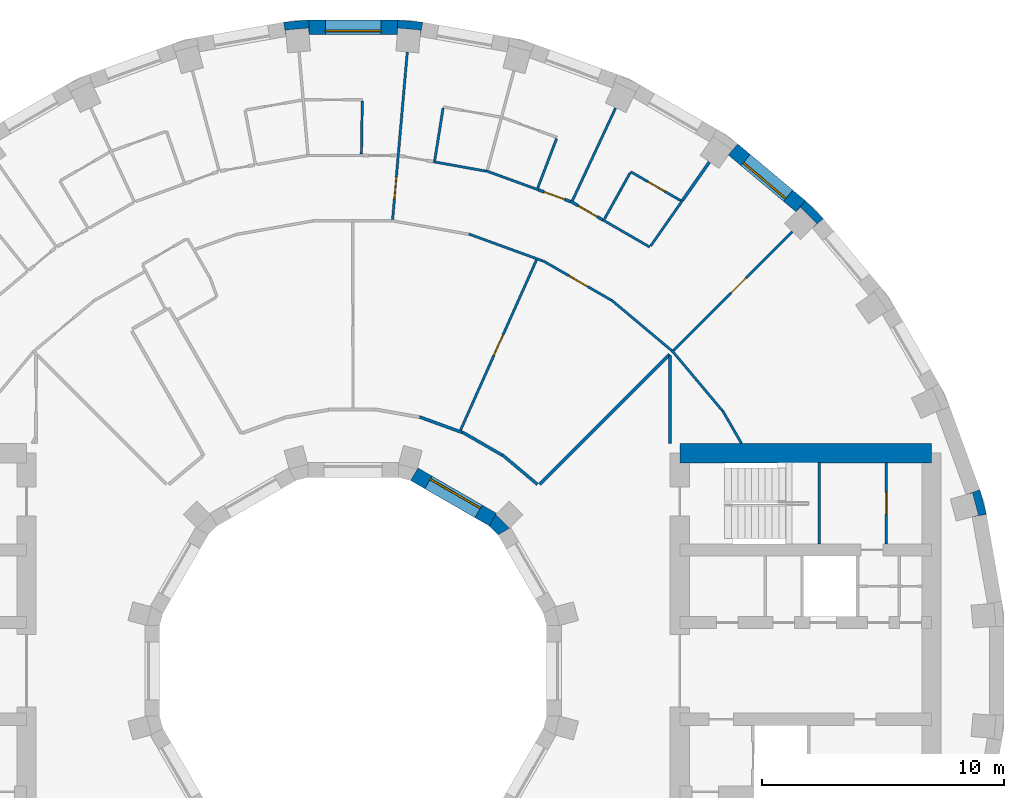
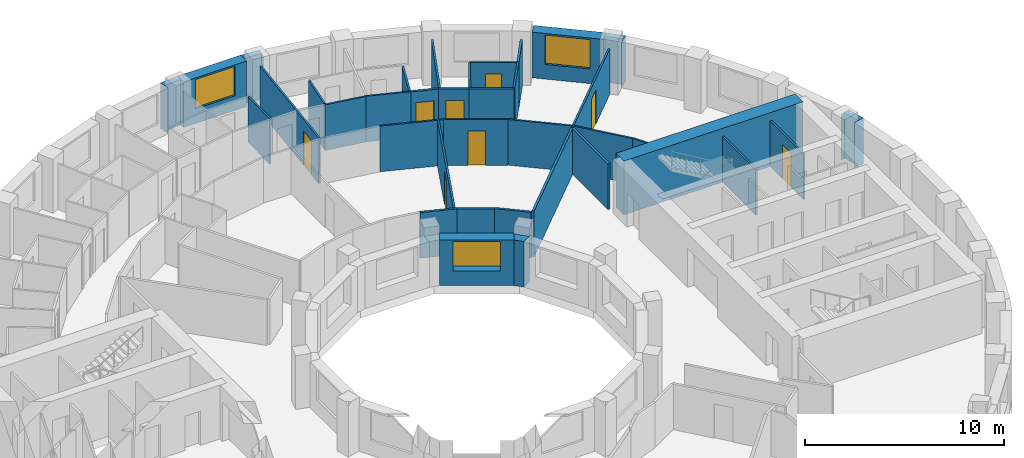
# One storey, part 10 of 13: 37 walls, 8 doors, 3 windows, 11 openings.
"""IFC4 building model written with IfcOpenShell, lengths in metres."""

from ifc_helpers import new_model, si_unit, direction, frame, frame_2d, origin, place, context, subcontext, project, spatial, polyline, rectangle, outline, extrude, material, layer, layer_set, type_object, element, fill, save


model = new_model("IFC4")

# Units and contexts
model_context = context("Model", 3, precision=1e-05, world=origin(), true_north=direction((0.0, 1.0)))
body_context = subcontext(model_context, "Body", "Model", "MODEL_VIEW")
ifc_project = project(units=[si_unit("LENGTHUNIT", "METRE"), si_unit("AREAUNIT", "SQUARE_METRE"), si_unit("VOLUMEUNIT", "CUBIC_METRE"), si_unit("PLANEANGLEUNIT", "RADIAN"), si_unit("MASSUNIT", "GRAM", prefix="KILO")], contexts=[model_context])

# Site, building, storey
site_placement = place(None, origin())
site = spatial("IfcSite", under=ifc_project, at=site_placement, CompositionType="ELEMENT")
building_placement = place(site_placement, origin())
building = spatial("IfcBuilding", under=site, at=building_placement, Name="Saqina Gate Tower", CompositionType="ELEMENT")
storey_placement = place(building_placement, frame((0.0, 0.0, 118.300048828125)))
storey = spatial("IfcBuildingStorey", under=building, at=storey_placement, Name="L33", CompositionType="ELEMENT", Elevation=118.300048828125)

# Walls
ifc_material_1 = material(Name="Brick masonry (buff)", Category="masonry")
wall_type_1 = type_object("IfcWallType", Name="BRICK PIER COPING BUFF", PredefinedType="SOLIDWALL", material=ifc_material_1)
wall_1_placement = place(storey_placement, origin())
element("IfcWall", 1, at=wall_1_placement, inside=storey, type_object=wall_type_1, Name="Pier cap L33 column 2", PredefinedType="SOLIDWALL", context=body_context, shape_type="SweptSolid", body=[
    extrude(outline(polyline([(26.171875, 6.466796875), (25.89892578125, 7.485595703125), (25.335205078125, 7.2802734375), (25.5947265625, 7.349853515625), (25.8408203125, 6.43212890625), (25.5810546875, 6.36279296875), (26.171875, 6.466796875)])), origin(), (0.0, 0.0, 1.0), 2.800048828125),
])
wall_2_placement = place(storey_placement, origin())
element("IfcWall", 2, at=wall_2_placement, inside=storey, type_object=wall_type_1, Name="Pier cap L33 column 5", PredefinedType="SOLIDWALL", context=body_context, shape_type="SweptSolid", body=[
    extrude(outline(polyline([(19.43212890625, 18.686279296875), (18.686279296875, 19.43212890625), (18.30078125, 18.972412109375), (18.49072265625, 19.16259765625), (19.16259765625, 18.49072265625), (18.972412109375, 18.30078125), (19.43212890625, 18.686279296875)])), origin(), (0.0, 0.0, 1.0), 2.800048828125),
])
wall_3_placement = place(storey_placement, origin())
element("IfcWall", 3, at=wall_3_placement, inside=storey, type_object=wall_type_1, Name="Pier cap L33 column 9", PredefinedType="SOLIDWALL", context=body_context, shape_type="SweptSolid", body=[
    extrude(outline(polyline([(2.87451171875, 26.805419921875), (1.823974609375, 26.897216796875), (1.823974609375, 26.29736328125), (1.847412109375, 26.565185546875), (2.793701171875, 26.482421875), (2.770263671875, 26.214599609375), (2.87451171875, 26.805419921875)])), origin(), (0.0, 0.0, 1.0), 2.800048828125),
])
wall_4_placement = place(storey_placement, origin())
element("IfcWall", 4, at=wall_4_placement, inside=storey, type_object=wall_type_1, Name="Pier cap L33 column 10", PredefinedType="SOLIDWALL", context=body_context, shape_type="SweptSolid", body=[
    extrude(outline(polyline([(-2.87451171875, 26.805419921875), (-2.770263671875, 26.214599609375), (-2.793701171875, 26.482421875), (-1.847412109375, 26.565185546875), (-1.823974609375, 26.29736328125), (-1.823974609375, 26.897216796875), (-2.87451171875, 26.805419921875)])), origin(), (0.0, 0.0, 1.0), 2.800048828125),
])

# Wall, opening, door
ifc_material_2 = material(Name="Gypsum board on steel studs", Category="steel")
ifc_layer_1 = layer(ifc_material_2, 0.10009765625)
ifc_layer_set_1 = layer_set([ifc_layer_1], Name="CORE PARTITION")
wall_type_2 = type_object("IfcWallType", Name="CORE PARTITION", PredefinedType="PARTITIONING", material=ifc_layer_set_1)
wall_5_placement = place(storey_placement, frame((22.037109375, 5.25, 0.0), z_axis=(0.0, 0.0, 1.0), x_axis=(0.0, 1.0, 0.0)))
wall_5 = element("IfcWall", 5, at=wall_5_placement, inside=storey, type_object=wall_type_2, Name="L33-CP-E11", PredefinedType="PARTITIONING", context=body_context, shape_type="SweptSolid", body=[
    extrude(rectangle(XDim=3.35009765625, YDim=0.10009765625, at=frame_2d((1.675048828125, 0.0))), origin(), (0.0, 0.0, 1.0), 2.800048828125),
])
opening_1_placement = place(wall_5_placement, frame((1.22509765625, 0.0, 0.0)))
opening_1 = element("IfcOpeningElement", 6, at=opening_1_placement, cuts=wall_5, Name="Opening G09-D98", PredefinedType="OPENING", context=body_context, shape_type="SweptSolid", body=[
    extrude(rectangle(XDim=0.89990234375, YDim=2.10009765625, at=frame_2d((0.449951171875, 1.050048828125))), frame((0.0, 0.06201171875, 0.0), z_axis=(0.0, -1.0, 0.0), x_axis=(1.0, 0.0, 0.0)), (0.0, 0.0, 1.0), 0.1240234375),
])
ifc_material_3 = material(Name="Steel-framed fire door leaf, EI 60", Category="steel")
door_type_1 = type_object("IfcDoorType", Name="SERVICE ROOM DOOR 900", OperationType="SINGLE_SWING_LEFT", PredefinedType="DOOR", material=ifc_material_3)
door_1_placement = place(opening_1_placement, origin())
door_1 = element("IfcDoor", 7, at=door_1_placement, inside=storey, type_object=door_type_1, Name="L33-CD-E09", OperationType="SINGLE_SWING_RIGHT", OverallHeight=2.10009765625, OverallWidth=0.89990234375, PredefinedType="DOOR", context=body_context, shape_type="SweptSolid", body=[
    extrude(rectangle(XDim=0.89990234375, YDim=2.10009765625, at=frame_2d((0.449951171875, 1.050048828125))), frame((0.0, 0.02490234375, 0.0), z_axis=(0.0, -1.0, 0.0), x_axis=(1.0, 0.0, 0.0)), (0.0, 0.0, 1.0), 0.050048828125),
])
fill(opening_1, door_1)

# Wall, opening, window
ifc_material_4 = material(Name="Brick masonry (buff)", Category="masonry")
ifc_layer_2 = layer(ifc_material_4, 0.60009765625)
ifc_layer_set_2 = layer_set([ifc_layer_2], Name="FW-BRICK-BUFF")
wall_type_3 = type_object("IfcWallType", Name="FW-BRICK-BUFF", PredefinedType="SOLIDWALL", material=ifc_layer_set_2)
wall_6_placement = place(storey_placement, frame((18.49365234375, 19.202392578125, 0.0), z_axis=(0.0, 0.0, 1.0), x_axis=(-0.766055462616, 0.642774476932, 0.0)))
wall_6 = element("IfcWall", 8, at=wall_6_placement, inside=storey, type_object=wall_type_3, Name="Facade wall L33 facet 5", PredefinedType="SOLIDWALL", context=body_context, shape_type="SweptSolid", body=[
    extrude(rectangle(XDim=3.647705078125, YDim=0.60009765625, at=frame_2d((1.82373046875, 0.0))), origin(), (0.0, 0.0, 1.0), 2.800048828125),
])
opening_2_placement = place(wall_6_placement, frame((0.673828125, 0.0, 0.89990234375)))
opening_2 = element("IfcOpeningElement", 9, at=opening_2_placement, cuts=wall_6, Name="Opening G09-W03", PredefinedType="OPENING", context=body_context, shape_type="SweptSolid", body=[
    extrude(rectangle(XDim=2.300048828125, YDim=1.800048828125, at=frame_2d((1.14990234375, 0.89990234375))), frame((0.0, 0.31201171875, 0.0), z_axis=(0.0, -1.0, 0.0), x_axis=(1.0, 0.0, 0.0)), (0.0, 0.0, 1.0), 0.6240234375),
])
ifc_material_5 = material(Name="Aluminium glazing", Category="aluminium")
window_type_1 = type_object("IfcWindowType", Name="WN-B", PartitioningType="SINGLE_PANEL", PredefinedType="WINDOW", material=ifc_material_5)
window_1_placement = place(opening_2_placement, origin())
window_1 = element("IfcWindow", 10, at=window_1_placement, inside=storey, type_object=window_type_1, Name="Window L33 facet 5", OverallHeight=1.800048828125, OverallWidth=2.300048828125, PartitioningType="SINGLE_PANEL", PredefinedType="WINDOW", context=body_context, shape_type="SweptSolid", body=[
    extrude(rectangle(XDim=2.300048828125, YDim=1.800048828125, at=frame_2d((1.14990234375, 0.89990234375))), frame((0.0, 0.179931640625, 0.0), z_axis=(0.0, -1.0, 0.0), x_axis=(1.0, 0.0, 0.0)), (0.0, 0.0, 1.0), 0.06005859375),
])
fill(opening_2, window_1)

wall_7_placement = place(storey_placement, frame((1.823974609375, 26.59716796875, 0.0), z_axis=(0.0, 0.0, 1.0), x_axis=(-1.0, 0.0, 0.0)))
wall_7 = element("IfcWall", 11, at=wall_7_placement, inside=storey, type_object=wall_type_3, Name="Facade wall L33 facet 9", PredefinedType="SOLIDWALL", context=body_context, shape_type="SweptSolid", body=[
    extrude(rectangle(XDim=3.64794921875, YDim=0.60009765625, at=frame_2d((1.823974609375, 0.0))), origin(), (0.0, 0.0, 1.0), 2.800048828125),
])
opening_3_placement = place(wall_7_placement, frame((0.673828125, 0.0, 0.89990234375)))
opening_3 = element("IfcOpeningElement", 12, at=opening_3_placement, cuts=wall_7, Name="Opening G09-W07", PredefinedType="OPENING", context=body_context, shape_type="SweptSolid", body=[
    extrude(rectangle(XDim=2.300048828125, YDim=1.800048828125, at=frame_2d((1.14990234375, 0.89990234375))), frame((0.0, 0.31201171875, 0.0), z_axis=(0.0, -1.0, 0.0), x_axis=(1.0, 0.0, 0.0)), (0.0, 0.0, 1.0), 0.6240234375),
])
window_2_placement = place(opening_3_placement, origin())
window_2 = element("IfcWindow", 13, at=window_2_placement, inside=storey, type_object=window_type_1, Name="Window L33 facet 9", OverallHeight=1.800048828125, OverallWidth=2.300048828125, PartitioningType="SINGLE_PANEL", PredefinedType="WINDOW", context=body_context, shape_type="SweptSolid", body=[
    extrude(rectangle(XDim=2.300048828125, YDim=1.800048828125, at=frame_2d((1.14990234375, 0.89990234375))), frame((0.0, 0.179931640625, 0.0), z_axis=(0.0, -1.0, 0.0), x_axis=(1.0, 0.0, 0.0)), (0.0, 0.0, 1.0), 0.06005859375),
])
fill(opening_3, window_2)

ifc_material_6 = material(Name="Glazed ceramic tile", Category="ceramic")
ifc_layer_3 = layer(ifc_material_6, 0.60009765625)
ifc_layer_set_3 = layer_set([ifc_layer_3], Name="IW-TILE")
wall_type_4 = type_object("IfcWallType", Name="IW-TILE", PredefinedType="SOLIDWALL", material=ifc_layer_set_3)
wall_8_placement = place(storey_placement, frame((5.772705078125, 6.251220703125, 0.0), z_axis=(0.0, 0.0, 1.0), x_axis=(-0.86604563398, 0.499964958637, 0.0)))
wall_8 = element("IfcWall", 14, at=wall_8_placement, inside=storey, type_object=wall_type_4, Name="Well wall L33 facet 2", PredefinedType="SOLIDWALL", context=body_context, shape_type="SweptSolid", body=[
    extrude(rectangle(XDim=3.747314453125, YDim=0.60009765625, at=frame_2d((1.87353515625, 0.0))), origin(), (0.0, 0.0, 1.0), 2.800048828125),
])
opening_4_placement = place(wall_8_placement, frame((0.673583984375, 0.0, 0.89990234375)))
opening_4 = element("IfcOpeningElement", 15, at=opening_4_placement, cuts=wall_8, Name="Opening G09-W27", PredefinedType="OPENING", context=body_context, shape_type="SweptSolid", body=[
    extrude(rectangle(XDim=2.39990234375, YDim=1.800048828125, at=frame_2d((1.199951171875, 0.89990234375))), frame((0.0, 0.31201171875, 0.0), z_axis=(0.0, -1.0, 0.0), x_axis=(1.0, 0.0, 0.0)), (0.0, 0.0, 1.0), 0.6240234375),
])
ifc_material_7 = material(Name="Aluminium glazing", Category="aluminium")
window_type_2 = type_object("IfcWindowType", Name="WN-W", PartitioningType="SINGLE_PANEL", PredefinedType="WINDOW", material=ifc_material_7)
window_3_placement = place(opening_4_placement, origin())
window_3 = element("IfcWindow", 16, at=window_3_placement, inside=storey, type_object=window_type_2, Name="Well window L33 facet 2", OverallHeight=1.800048828125, OverallWidth=2.39990234375, PartitioningType="SINGLE_PANEL", PredefinedType="WINDOW", context=body_context, shape_type="SweptSolid", body=[
    extrude(rectangle(XDim=2.39990234375, YDim=1.800048828125, at=frame_2d((1.199951171875, 0.89990234375))), frame((0.0, -0.119873046875, 0.0), z_axis=(0.0, -1.0, 0.0), x_axis=(1.0, 0.0, 0.0)), (0.0, 0.0, 1.0), 0.06005859375),
])
fill(opening_4, window_3)

# Walls
ifc_material_8 = material(Name="Gypsum board on steel studs, 100 mm", Category="steel")
ifc_layer_4 = layer(ifc_material_8, 0.10009765625)
ifc_layer_set_4 = layer_set([ifc_layer_4], Name="PARTITION 100")
wall_type_5 = type_object("IfcWallType", Name="PARTITION 100", PredefinedType="PARTITIONING", material=ifc_layer_set_4)
wall_9_placement = place(storey_placement, frame((15.2685546875, 10.7529296875, 0.0), z_axis=(0.0, 0.0, 1.0), x_axis=(0.499614353746, -0.866247942296, 0.0)))
element("IfcWall", 17, at=wall_9_placement, inside=storey, type_object=wall_type_5, Name="PARTITION PW3-14", PredefinedType="PARTITIONING", context=body_context, shape_type="SweptSolid", body=[
    extrude(rectangle(XDim=1.564208984375, YDim=0.10009765625, at=frame_2d((0.7822265625, 0.0))), origin(), (0.0, 0.0, 1.0), 2.800048828125),
])
for number, where, z_axis, x_axis, name in (
    (18, (13.16943359375, 13.240966796875, 0.0), (0.0, 0.0, 1.0), (0.642806814248, -0.766028328168, 0.0), "PARTITION PW3-22"),
    (19, (10.670166015625, 15.32666015625, 0.0), (0.0, 0.0, 1.0), (0.766028328168, -0.642806814248, 0.0), "PARTITION PW3-27"),
):
    element("IfcWall", number, at=place(storey_placement, frame(where, z_axis=z_axis, x_axis=x_axis)), inside=storey, type_object=wall_type_5, Name=name, PredefinedType="PARTITIONING", context=body_context, shape_type="SweptSolid", body=[
        extrude(rectangle(XDim=3.25537109375, YDim=0.10009765625, at=frame_2d((1.627685546875, 0.0))), origin(), (0.0, 0.0, 1.0), 2.800048828125),
    ])

# Wall, opening, door
wall_10_placement = place(storey_placement, frame((7.845947265625, 16.9462890625, 0.0), z_axis=(0.0, 0.0, 1.0), x_axis=(0.866135643811, -0.499809010043, 0.0)))
wall_10 = element("IfcWall", 20, at=wall_10_placement, inside=storey, type_object=wall_type_5, Name="PARTITION PW3-34", PredefinedType="PARTITIONING", context=body_context, shape_type="SweptSolid", body=[
    extrude(rectangle(XDim=3.255615234375, YDim=0.10009765625, at=frame_2d((1.6279296875, 0.0))), origin(), (0.0, 0.0, 1.0), 2.800048828125),
])
opening_5_placement = place(wall_10_placement, frame((1.228271484375, 0.0, 0.0)))
opening_5 = element("IfcOpeningElement", 21, at=opening_5_placement, cuts=wall_10, Name="Opening G09-D03", PredefinedType="OPENING", context=body_context, shape_type="SweptSolid", body=[
    extrude(rectangle(XDim=0.89990234375, YDim=2.10009765625, at=frame_2d((0.449951171875, 1.050048828125))), frame((0.0, 0.06201171875, 0.0), z_axis=(0.0, -1.0, 0.0), x_axis=(1.0, 0.0, 0.0)), (0.0, 0.0, 1.0), 0.1240234375),
])
ifc_material_9 = material(Name="Timber door leaf, 900 mm", Category="wood")
door_type_2 = type_object("IfcDoorType", Name="DOOR 900 TIMBER", OperationType="SINGLE_SWING_LEFT", PredefinedType="DOOR", material=ifc_material_9)
door_2_placement = place(opening_5_placement, origin())
door_2 = element("IfcDoor", 22, at=door_2_placement, inside=storey, type_object=door_type_2, Name="DOOR G09-D03", OperationType="SINGLE_SWING_RIGHT", OverallHeight=2.10009765625, OverallWidth=0.89990234375, PredefinedType="DOOR", context=body_context, shape_type="SweptSolid", body=[
    extrude(rectangle(XDim=0.89990234375, YDim=2.10009765625, at=frame_2d((0.449951171875, 1.050048828125))), frame((0.0, 0.02490234375, 0.0), z_axis=(0.0, -1.0, 0.0), x_axis=(1.0, 0.0, 0.0)), (0.0, 0.0, 1.0), 0.050048828125),
])
fill(opening_5, door_2)

# Wall
wall_11_placement = place(storey_placement, frame((10.309814453125, 18.639892578125, 0.0), z_axis=(0.0, 0.0, 1.0), x_axis=(0.865856719536, -0.500292055938, 0.0)))
element("IfcWall", 23, at=wall_11_placement, inside=storey, type_object=wall_type_5, Name="PARTITION PW3-35", PredefinedType="PARTITIONING", context=body_context, shape_type="SweptSolid", body=[
    extrude(rectangle(XDim=2.250732421875, YDim=0.10009765625, at=frame_2d((1.12548828125, 0.0))), origin(), (0.0, 0.0, 1.0), 2.800048828125),
])

# Wall, opening, door
wall_12_placement = place(storey_placement, frame((11.470947265625, 20.625, 0.0), z_axis=(0.0, 0.0, 1.0), x_axis=(0.866161784063, -0.499763707994, 0.0)))
wall_12 = element("IfcWall", 24, at=wall_12_placement, inside=storey, type_object=wall_type_5, Name="PARTITION PW3-36", PredefinedType="PARTITIONING", context=body_context, shape_type="SweptSolid", body=[
    extrude(rectangle(XDim=2.390869140625, YDim=0.10009765625, at=frame_2d((1.1953125, 0.0))), origin(), (0.0, 0.0, 1.0), 2.800048828125),
])
opening_6_placement = place(wall_12_placement, frame((0.821533203125, 0.0, 0.0)))
opening_6 = element("IfcOpeningElement", 25, at=opening_6_placement, cuts=wall_12, Name="Opening G09-D02", PredefinedType="OPENING", context=body_context, shape_type="SweptSolid", body=[
    extrude(rectangle(XDim=0.800048828125, YDim=2.10009765625, at=frame_2d((0.39990234375, 1.050048828125))), frame((0.0, 0.06201171875, 0.0), z_axis=(0.0, -1.0, 0.0), x_axis=(1.0, 0.0, 0.0)), (0.0, 0.0, 1.0), 0.1240234375),
])
ifc_material_10 = material(Name="Timber door leaf, 800 mm", Category="wood")
door_type_3 = type_object("IfcDoorType", Name="DOOR 800 TIMBER", OperationType="SINGLE_SWING_LEFT", PredefinedType="DOOR", material=ifc_material_10)
door_3_placement = place(opening_6_placement, origin())
door_3 = element("IfcDoor", 26, at=door_3_placement, inside=storey, type_object=door_type_3, Name="DOOR G09-D02", OperationType="SINGLE_SWING_RIGHT", OverallHeight=2.10009765625, OverallWidth=0.800048828125, PredefinedType="DOOR", context=body_context, shape_type="SweptSolid", body=[
    extrude(rectangle(XDim=0.800048828125, YDim=2.10009765625, at=frame_2d((0.39990234375, 1.050048828125))), frame((0.0, 0.02490234375, 0.0), z_axis=(0.0, -1.0, 0.0), x_axis=(1.0, 0.0, 0.0)), (0.0, 0.0, 1.0), 0.050048828125),
])
fill(opening_6, door_3)

# Walls
wall_13_placement = place(storey_placement, frame((4.7841796875, 18.05126953125, 0.0), z_axis=(0.0, 0.0, 1.0), x_axis=(0.939697033511, -0.34200801922, 0.0)))
element("IfcWall", 27, at=wall_13_placement, inside=storey, type_object=wall_type_5, Name="PARTITION PW3-41", PredefinedType="PARTITIONING", context=body_context, shape_type="SweptSolid", body=[
    extrude(rectangle(XDim=3.255126953125, YDim=0.10009765625, at=frame_2d((1.62744140625, 0.0))), origin(), (0.0, 0.0, 1.0), 2.800048828125),
])
wall_14_placement = place(storey_placement, frame((5.4853515625, 20.667236328125, 0.0), z_axis=(0.0, 0.0, 1.0), x_axis=(0.939734670151, -0.34190459154, 0.0)))
element("IfcWall", 28, at=wall_14_placement, inside=storey, type_object=wall_type_5, Name="PARTITION PW3-42", PredefinedType="PARTITIONING", context=body_context, shape_type="SweptSolid", body=[
    extrude(rectangle(XDim=2.3056640625, YDim=0.10009765625, at=frame_2d((1.15283203125, 0.0))), origin(), (0.0, 0.0, 1.0), 2.800048828125),
])
wall_15_placement = place(storey_placement, frame((3.312744140625, 21.041748046875, 0.0), z_axis=(0.0, 0.0, 1.0), x_axis=(0.984157440959, -0.17729673264, 0.0)))
element("IfcWall", 29, at=wall_15_placement, inside=storey, type_object=wall_type_5, Name="PARTITION PW3-44", PredefinedType="PARTITIONING", context=body_context, shape_type="SweptSolid", body=[
    extrude(rectangle(XDim=2.20458984375, YDim=0.10009765625, at=frame_2d((1.102294921875, 0.0))), origin(), (0.0, 0.0, 1.0), 2.800048828125),
])

# Wall, opening, door
wall_16_placement = place(storey_placement, frame((13.2373046875, 13.2373046875, 0.0), z_axis=(0.0, 0.0, 1.0), x_axis=(0.707106781187, 0.707106781187, 0.0)))
wall_16 = element("IfcWall", 30, at=wall_16_placement, inside=storey, type_object=wall_type_5, Name="PARTITION PW3-78", PredefinedType="PARTITIONING", context=body_context, shape_type="SweptSolid", body=[
    extrude(rectangle(XDim=6.944580078125, YDim=0.10009765625, at=frame_2d((3.47216796875, 0.0))), origin(), (0.0, 0.0, 1.0), 2.800048828125),
])
opening_7_placement = place(wall_16_placement, frame((3.3642578125, 0.0, 0.0)))
opening_7 = element("IfcOpeningElement", 31, at=opening_7_placement, cuts=wall_16, Name="Opening G09-D01", PredefinedType="OPENING", context=body_context, shape_type="SweptSolid", body=[
    extrude(rectangle(XDim=0.89990234375, YDim=2.10009765625, at=frame_2d((0.449951171875, 1.050048828125))), frame((0.0, 0.06201171875, 0.0), z_axis=(0.0, -1.0, 0.0), x_axis=(1.0, 0.0, 0.0)), (0.0, 0.0, 1.0), 0.1240234375),
])
door_4_placement = place(opening_7_placement, frame((0.89990234375, 0.0, 0.0), z_axis=(0.0, 0.0, 1.0), x_axis=(-1.0, 0.0, 0.0)))
door_4 = element("IfcDoor", 32, at=door_4_placement, inside=storey, type_object=door_type_2, Name="DOOR G09-D01", OperationType="SINGLE_SWING_LEFT", OverallHeight=2.10009765625, OverallWidth=0.89990234375, PredefinedType="DOOR", context=body_context, shape_type="SweptSolid", body=[
    extrude(rectangle(XDim=0.89990234375, YDim=2.10009765625, at=frame_2d((0.449951171875, 1.050048828125))), frame((0.0, 0.02490234375, 0.0), z_axis=(0.0, -1.0, 0.0), x_axis=(1.0, 0.0, 0.0)), (0.0, 0.0, 1.0), 0.050048828125),
])
fill(opening_7, door_4)

# Walls
wall_17_placement = place(storey_placement, frame((12.290771484375, 17.552978515625, 0.0), z_axis=(0.0, 0.0, 1.0), x_axis=(0.573582946976, 0.819147485462, 0.0)))
element("IfcWall", 33, at=wall_17_placement, inside=storey, type_object=wall_type_5, Name="PARTITION PW3-84", PredefinedType="PARTITIONING", context=body_context, shape_type="SweptSolid", body=[
    extrude(rectangle(XDim=2.3095703125, YDim=0.10009765625, at=frame_2d((1.15478515625, 0.0))), origin(), (0.0, 0.0, 1.0), 2.800048828125),
])
wall_18_placement = place(storey_placement, frame((10.38330078125, 18.669677734375, 0.0), z_axis=(0.0, 0.0, 1.0), x_axis=(0.486154549708, 0.873872847615, 0.0)))
element("IfcWall", 34, at=wall_18_placement, inside=storey, type_object=wall_type_5, Name="PARTITION PW3-92", PredefinedType="PARTITIONING", context=body_context, shape_type="SweptSolid", body=[
    extrude(rectangle(XDim=2.1875, YDim=0.10009765625, at=frame_2d((1.09375, 0.0))), origin(), (0.0, 0.0, 1.0), 2.800048828125),
])
wall_19_placement = place(storey_placement, frame((9.0615234375, 19.4326171875, 0.0), z_axis=(0.0, 0.0, 1.0), x_axis=(0.422606972268, 0.906313051319, 0.0)))
element("IfcWall", 35, at=wall_19_placement, inside=storey, type_object=wall_type_5, Name="PARTITION PW3-94", PredefinedType="PARTITIONING", context=body_context, shape_type="SweptSolid", body=[
    extrude(rectangle(XDim=4.2236328125, YDim=0.10009765625, at=frame_2d((2.11181640625, 0.0))), origin(), (0.0, 0.0, 1.0), 2.800048828125),
])

# Wall, opening, door
wall_20_placement = place(storey_placement, frame((4.437255859375, 9.945068359375, 0.0), z_axis=(0.0, 0.0, 1.0), x_axis=(0.407452204653, 0.913226533191, 0.0)))
wall_20 = element("IfcWall", 36, at=wall_20_placement, inside=storey, type_object=wall_type_5, Name="PARTITION PW3-95", PredefinedType="PARTITIONING", context=body_context, shape_type="SweptSolid", body=[
    extrude(rectangle(XDim=7.705078125, YDim=0.10009765625, at=frame_2d((3.8525390625, 0.0))), origin(), (0.0, 0.0, 1.0), 2.800048828125),
])
opening_8_placement = place(wall_20_placement, frame((3.395263671875, 0.0, 0.0)))
opening_8 = element("IfcOpeningElement", 37, at=opening_8_placement, cuts=wall_20, Name="Opening G09-D05", PredefinedType="OPENING", context=body_context, shape_type="SweptSolid", body=[
    extrude(rectangle(XDim=0.89990234375, YDim=2.10009765625, at=frame_2d((0.449951171875, 1.050048828125))), frame((0.0, 0.06201171875, 0.0), z_axis=(0.0, -1.0, 0.0), x_axis=(1.0, 0.0, 0.0)), (0.0, 0.0, 1.0), 0.1240234375),
])
door_5_placement = place(opening_8_placement, frame((0.89990234375, 0.0, 0.0), z_axis=(0.0, 0.0, 1.0), x_axis=(-1.0, 0.0, 0.0)))
door_5 = element("IfcDoor", 38, at=door_5_placement, inside=storey, type_object=door_type_2, Name="DOOR G09-D05", OperationType="SINGLE_SWING_RIGHT", OverallHeight=2.10009765625, OverallWidth=0.89990234375, PredefinedType="DOOR", context=body_context, shape_type="SweptSolid", body=[
    extrude(rectangle(XDim=0.89990234375, YDim=2.10009765625, at=frame_2d((0.449951171875, 1.050048828125))), frame((0.0, 0.02490234375, 0.0), z_axis=(0.0, -1.0, 0.0), x_axis=(1.0, 0.0, 0.0)), (0.0, 0.0, 1.0), 0.050048828125),
])
fill(opening_8, door_5)

# Walls
wall_21_placement = place(storey_placement, frame((7.627197265625, 19.954345703125, 0.0), z_axis=(0.0, 0.0, 1.0), x_axis=(0.356937039246, 0.934128444067, 0.0)))
element("IfcWall", 39, at=wall_21_placement, inside=storey, type_object=wall_type_5, Name="PARTITION PW3-97", PredefinedType="PARTITIONING", context=body_context, shape_type="SweptSolid", body=[
    extrude(rectangle(XDim=2.18798828125, YDim=0.10009765625, at=frame_2d((1.093994140625, 0.0))), origin(), (0.0, 0.0, 1.0), 2.800048828125),
])
wall_22_placement = place(storey_placement, frame((3.371826171875, 21.0947265625, 0.0), z_axis=(0.0, 0.0, 1.0), x_axis=(0.157825077305, 0.987467085514, 0.0)))
element("IfcWall", 40, at=wall_22_placement, inside=storey, type_object=wall_type_5, Name="PARTITION PW3-102", PredefinedType="PARTITIONING", context=body_context, shape_type="SweptSolid", body=[
    extrude(rectangle(XDim=2.187255859375, YDim=0.10009765625, at=frame_2d((1.09375, 0.0))), origin(), (0.0, 0.0, 1.0), 2.800048828125),
])

# Wall, opening, door
wall_23_placement = place(storey_placement, frame((1.631103515625, 18.64892578125, 0.0), z_axis=(0.0, 0.0, 1.0), x_axis=(0.087251550035, 0.996186311398, 0.0)))
wall_23 = element("IfcWall", 41, at=wall_23_placement, inside=storey, type_object=wall_type_5, Name="PARTITION PW3-104", PredefinedType="PARTITIONING", context=body_context, shape_type="SweptSolid", body=[
    extrude(rectangle(XDim=6.94482421875, YDim=0.10009765625, at=frame_2d((3.472412109375, 0.0))), origin(), (0.0, 0.0, 1.0), 2.800048828125),
])
opening_9_placement = place(wall_23_placement, frame((0.854248046875, 0.0, 0.0)))
opening_9 = element("IfcOpeningElement", 42, at=opening_9_placement, cuts=wall_23, Name="Opening G09-D10", PredefinedType="OPENING", context=body_context, shape_type="SweptSolid", body=[
    extrude(rectangle(XDim=0.89990234375, YDim=2.10009765625, at=frame_2d((0.449951171875, 1.050048828125))), frame((0.0, 0.06201171875, 0.0), z_axis=(0.0, -1.0, 0.0), x_axis=(1.0, 0.0, 0.0)), (0.0, 0.0, 1.0), 0.1240234375),
])
door_6_placement = place(opening_9_placement, origin())
door_6 = element("IfcDoor", 43, at=door_6_placement, inside=storey, type_object=door_type_2, Name="DOOR G09-D10", OperationType="SINGLE_SWING_LEFT", OverallHeight=2.10009765625, OverallWidth=0.89990234375, PredefinedType="DOOR", context=body_context, shape_type="SweptSolid", body=[
    extrude(rectangle(XDim=0.89990234375, YDim=2.10009765625, at=frame_2d((0.449951171875, 1.050048828125))), frame((0.0, 0.02490234375, 0.0), z_axis=(0.0, -1.0, 0.0), x_axis=(1.0, 0.0, 0.0)), (0.0, 0.0, 1.0), 0.050048828125),
])
fill(opening_9, door_6)

# Walls
wall_24_placement = place(storey_placement, frame((0.342041015625, 21.359375, 0.0), z_axis=(0.0, 0.0, 1.0), x_axis=(0.016067560631, 0.999870908415, 0.0)))
element("IfcWall", 44, at=wall_24_placement, inside=storey, type_object=wall_type_5, Name="PARTITION PW3-107", PredefinedType="PARTITIONING", context=body_context, shape_type="SweptSolid", body=[
    extrude(rectangle(XDim=2.18798828125, YDim=0.10009765625, at=frame_2d((1.093994140625, 0.0))), origin(), (0.0, 0.0, 1.0), 2.800048828125),
])
ifc_material_11 = material(Name="Gypsum board on steel studs, 125 mm, fire rated", Category="steel")
ifc_layer_5 = layer(ifc_material_11, 0.125)
ifc_layer_set_5 = layer_set([ifc_layer_5], Name="PARTITION EI 30 125")
wall_type_6 = type_object("IfcWallType", Name="PARTITION EI 30 125", PredefinedType="PARTITIONING", material=ifc_layer_set_5)
wall_25_placement = place(storey_placement, frame((6.16943359375, 8.921630859375, 0.0), z_axis=(0.0, 0.0, 1.0), x_axis=(0.766048022013, -0.642783344503, 0.0)))
element("IfcWall", 45, at=wall_25_placement, inside=storey, type_object=wall_type_6, Name="PARTITION PW1-10", PredefinedType="PARTITIONING", context=body_context, shape_type="SweptSolid", body=[
    extrude(rectangle(XDim=1.8916015625, YDim=0.125, at=frame_2d((0.94580078125, 0.0))), origin(), (0.0, 0.0, 1.0), 2.800048828125),
])
wall_26_placement = place(storey_placement, frame((4.527099609375, 9.857666015625, 0.0), z_axis=(0.0, 0.0, 1.0), x_axis=(0.86592101019, -0.500180771434, 0.0)))
element("IfcWall", 46, at=wall_26_placement, inside=storey, type_object=wall_type_6, Name="PARTITION PW1-13", PredefinedType="PARTITIONING", context=body_context, shape_type="SweptSolid", body=[
    extrude(rectangle(XDim=1.890380859375, YDim=0.125, at=frame_2d((0.9453125, 0.0))), origin(), (0.0, 0.0, 1.0), 2.800048828125),
])

# Wall, opening, door
wall_27_placement = place(storey_placement, frame((8.97998046875, 19.40771484375, 0.0), z_axis=(0.0, 0.0, 1.0), x_axis=(0.866013487713, -0.500020638674, 0.0)))
wall_27 = element("IfcWall", 47, at=wall_27_placement, inside=storey, type_object=wall_type_6, Name="PARTITION PW1-14", PredefinedType="PARTITIONING", context=body_context, shape_type="SweptSolid", body=[
    extrude(rectangle(XDim=1.53564453125, YDim=0.125, at=frame_2d((0.767822265625, 0.0))), origin(), (0.0, 0.0, 1.0), 2.800048828125),
])
opening_10_placement = place(wall_27_placement, frame((0.37451171875, 0.0, 0.0)))
opening_10 = element("IfcOpeningElement", 48, at=opening_10_placement, cuts=wall_27, Name="Opening G09-D04", PredefinedType="OPENING", context=body_context, shape_type="SweptSolid", body=[
    extrude(rectangle(XDim=0.89990234375, YDim=2.10009765625, at=frame_2d((0.449951171875, 1.050048828125))), frame((0.0, 0.074462890625, 0.0), z_axis=(0.0, -1.0, 0.0), x_axis=(1.0, 0.0, 0.0)), (0.0, 0.0, 1.0), 0.14892578125),
])
ifc_material_12 = material(Name="Fire door leaf EI 30, 900 mm")
door_type_4 = type_object("IfcDoorType", Name="DOOR 900 EI 30", OperationType="SINGLE_SWING_LEFT", PredefinedType="DOOR", material=ifc_material_12)
door_7_placement = place(opening_10_placement, frame((0.89990234375, 0.0, 0.0), z_axis=(0.0, 0.0, 1.0), x_axis=(-1.0, 0.0, 0.0)))
door_7 = element("IfcDoor", 49, at=door_7_placement, inside=storey, type_object=door_type_4, Name="DOOR G09-D04", OperationType="SINGLE_SWING_RIGHT", OverallHeight=2.10009765625, OverallWidth=0.89990234375, PredefinedType="DOOR", context=body_context, shape_type="SweptSolid", body=[
    extrude(rectangle(XDim=0.89990234375, YDim=2.10009765625, at=frame_2d((0.449951171875, 1.050048828125))), frame((0.0, 0.02490234375, 0.0), z_axis=(0.0, -1.0, 0.0), x_axis=(1.0, 0.0, 0.0)), (0.0, 0.0, 1.0), 0.050048828125),
])
fill(opening_10, door_7)

# Wall
wall_28_placement = place(storey_placement, frame((2.74609375, 10.49169921875, 0.0), z_axis=(0.0, 0.0, 1.0), x_axis=(0.939744390825, -0.341877872803, 0.0)))
element("IfcWall", 50, at=wall_28_placement, inside=storey, type_object=wall_type_6, Name="PARTITION PW1-17", PredefinedType="PARTITIONING", context=body_context, shape_type="SweptSolid", body=[
    extrude(rectangle(XDim=1.890380859375, YDim=0.125, at=frame_2d((0.9453125, 0.0))), origin(), (0.0, 0.0, 1.0), 2.800048828125),
])

# Wall, opening, door
wall_29_placement = place(storey_placement, frame((7.652099609375, 19.87890625, 0.0), z_axis=(0.0, 0.0, 1.0), x_axis=(0.939813657692, -0.341687413896, 0.0)))
wall_29 = element("IfcWall", 51, at=wall_29_placement, inside=storey, type_object=wall_type_6, Name="PARTITION PW1-18", PredefinedType="PARTITIONING", context=body_context, shape_type="SweptSolid", body=[
    extrude(rectangle(XDim=1.408935546875, YDim=0.125, at=frame_2d((0.70458984375, 0.0))), origin(), (0.0, 0.0, 1.0), 2.800048828125),
])
opening_11_placement = place(wall_29_placement, frame((0.2607421875, 0.0, 0.0)))
opening_11 = element("IfcOpeningElement", 52, at=opening_11_placement, cuts=wall_29, Name="Opening G09-D06", PredefinedType="OPENING", context=body_context, shape_type="SweptSolid", body=[
    extrude(rectangle(XDim=0.89990234375, YDim=2.10009765625, at=frame_2d((0.449951171875, 1.050048828125))), frame((0.0, 0.074462890625, 0.0), z_axis=(0.0, -1.0, 0.0), x_axis=(1.0, 0.0, 0.0)), (0.0, 0.0, 1.0), 0.14892578125),
])
door_8_placement = place(opening_11_placement, frame((0.89990234375, 0.0, 0.0), z_axis=(0.0, 0.0, 1.0), x_axis=(-1.0, 0.0, 0.0)))
door_8 = element("IfcDoor", 53, at=door_8_placement, inside=storey, type_object=door_type_4, Name="DOOR G09-D06", OperationType="SINGLE_SWING_LEFT", OverallHeight=2.10009765625, OverallWidth=0.89990234375, PredefinedType="DOOR", context=body_context, shape_type="SweptSolid", body=[
    extrude(rectangle(XDim=0.89990234375, YDim=2.10009765625, at=frame_2d((0.449951171875, 1.050048828125))), frame((0.0, 0.02490234375, 0.0), z_axis=(0.0, -1.0, 0.0), x_axis=(1.0, 0.0, 0.0)), (0.0, 0.0, 1.0), 0.050048828125),
])
fill(opening_11, door_8)

# Walls
wall_30_placement = place(storey_placement, frame((7.710205078125, 7.710205078125, 0.0), z_axis=(0.0, 0.0, 1.0), x_axis=(0.707106781187, 0.707106781187, 0.0)))
element("IfcWall", 54, at=wall_30_placement, inside=storey, type_object=wall_type_6, Name="PARTITION PW1-43", PredefinedType="PARTITIONING", context=body_context, shape_type="SweptSolid", body=[
    extrude(rectangle(XDim=7.586669921875, YDim=0.125, at=frame_2d((3.79345703125, 0.0))), origin(), (0.0, 0.0, 1.0), 2.800048828125),
])
wall_31_placement = place(storey_placement, frame((13.61376953125, 19.446044921875, 0.0), z_axis=(0.0, 0.0, 1.0), x_axis=(0.573470846205, 0.819225969164, 0.0)))
element("IfcWall", 55, at=wall_31_placement, inside=storey, type_object=wall_type_6, Name="PARTITION PW1-45", PredefinedType="PARTITIONING", context=body_context, shape_type="SweptSolid", body=[
    extrude(rectangle(XDim=1.92724609375, YDim=0.125, at=frame_2d((0.963623046875, 0.0))), origin(), (0.0, 0.0, 1.0), 2.800048828125),
])
wall_32_placement = place(storey_placement, frame((13.10009765625, 9.39794921875, 0.0), z_axis=(0.0, 0.0, 1.0), x_axis=(0.0, 1.0, 0.0)))
element("IfcWall", 56, at=wall_32_placement, inside=storey, type_object=wall_type_6, Name="PARTITION PW1-50", PredefinedType="PARTITIONING", context=body_context, shape_type="SweptSolid", body=[
    extrude(rectangle(XDim=3.638671875, YDim=0.125, at=frame_2d((1.8193359375, 0.0))), origin(), (0.0, 0.0, 1.0), 2.800048828125),
])
ifc_material_13 = material(Name="Autoclaved aerated concrete block", Category="concrete")
ifc_layer_6 = layer(ifc_material_13, 0.10009765625)
ifc_layer_set_6 = layer_set([ifc_layer_6], Name="STAIR ENCLOSURE WALL")
wall_type_7 = type_object("IfcWallType", Name="STAIR ENCLOSURE WALL", PredefinedType="PARTITIONING", material=ifc_layer_set_6)
wall_33_placement = place(storey_placement, frame((19.27001953125, 5.25, 0.0), z_axis=(0.0, 0.0, 1.0), x_axis=(0.0, 1.0, 0.0)))
element("IfcWall", 57, at=wall_33_placement, inside=storey, type_object=wall_type_7, Name="L33-CP-E10", PredefinedType="PARTITIONING", context=body_context, shape_type="SweptSolid", body=[
    extrude(rectangle(XDim=3.35009765625, YDim=0.10009765625, at=frame_2d((1.675048828125, 0.0))), origin(), (0.0, 0.0, 1.0), 2.800048828125),
])
ifc_material_14 = material(Name="Concrete C70/85", Category="concrete")
ifc_layer_7 = layer(ifc_material_14, 0.800048828125)
ifc_layer_set_7 = layer_set([ifc_layer_7], Name="Concrete C70/85")
wall_type_8 = type_object("IfcWallType", Name="STR-CORE WALL-B-O", PredefinedType="SHEAR", material=ifc_layer_set_7)
wall_34_placement = place(storey_placement, frame((13.5, 9.0, 0.0), z_axis=(0.0, 0.0, 1.0), x_axis=(1.0, 0.0, 0.0)))
element("IfcWall", 58, at=wall_34_placement, inside=storey, type_object=wall_type_8, Name="CORE WALL L33 E-NE", PredefinedType="SHEAR", context=body_context, shape_type="SweptSolid", body=[
    extrude(rectangle(XDim=10.39990234375, YDim=0.800048828125, at=frame_2d((5.199951171875, 0.0))), origin(), (0.0, 0.0, 1.0), 3.300048828125),
])
ifc_material_15 = material(Name="Glazed ceramic tile", Category="ceramic")
wall_type_9 = type_object("IfcWallType", Name="TILE PIER COPING", PredefinedType="SOLIDWALL", material=ifc_material_15)
wall_35_placement = place(storey_placement, origin())
element("IfcWall", 59, at=wall_35_placement, inside=storey, type_object=wall_type_9, Name="Well pier cap L33 column 2", PredefinedType="SOLIDWALL", context=body_context, shape_type="SweptSolid", body=[
    extrude(outline(polyline([(5.891845703125, 6.45751953125), (5.622802734375, 5.991455078125), (5.991455078125, 5.622802734375), (6.45751953125, 5.891845703125), (5.891845703125, 6.45751953125)])), origin(), (0.0, 0.0, 1.0), 2.800048828125),
])

save(model, "model.ifc")
